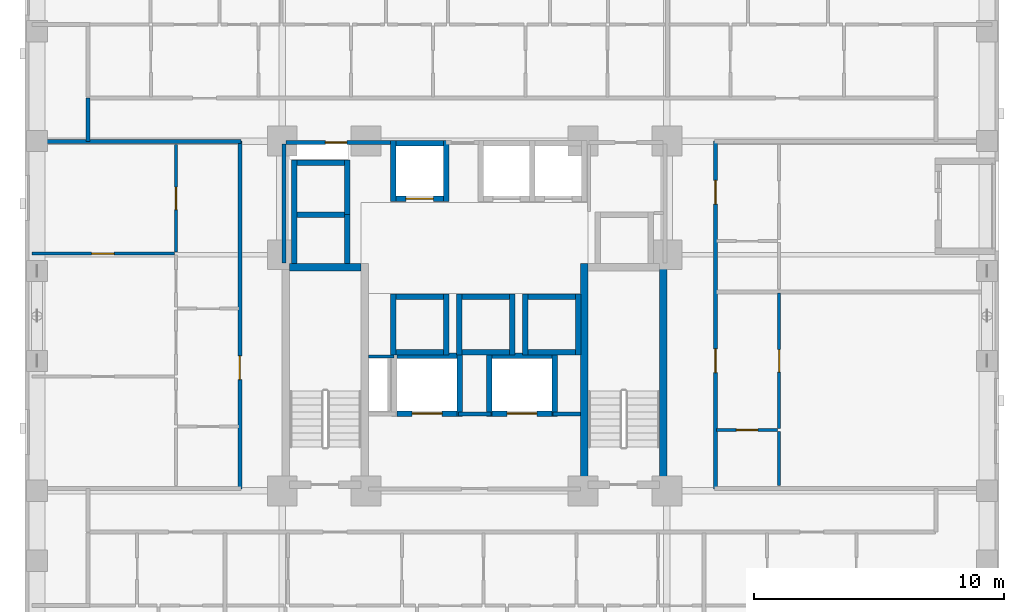
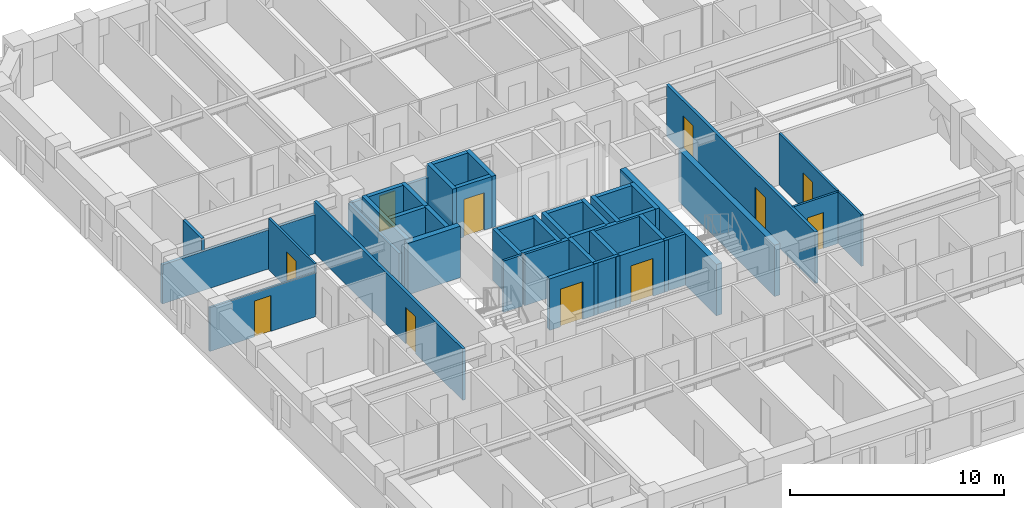
# One storey, part 5 of 14: 45 walls, 11 doors, 11 openings.
"""IFC4 building model written with IfcOpenShell, lengths in metres."""

from ifc_helpers import new_model, si_unit, derived_unit, direction, frame, frame_2d, origin, place, context, subcontext, project, spatial, rectangle, extrude, material, layer, layer_set, type_object, element, fill, save


model = new_model("IFC4")

# Units and contexts
model_context = context("Model", 3, precision=1e-05, world=origin(), true_north=direction((0.0, 1.0)))
body_context = subcontext(model_context, "Body", "Model", "MODEL_VIEW")
ifc_project = project(units=[si_unit("LENGTHUNIT", "METRE"), si_unit("AREAUNIT", "SQUARE_METRE"), si_unit("VOLUMEUNIT", "CUBIC_METRE"), si_unit("PLANEANGLEUNIT", "RADIAN"), si_unit("MASSUNIT", "GRAM", prefix="KILO"), derived_unit("THERMALTRANSMITTANCEUNIT", [(si_unit("MASSUNIT", "GRAM", prefix="KILO"), 1), (si_unit("TIMEUNIT", "SECOND"), -3), (si_unit("THERMODYNAMICTEMPERATUREUNIT", "KELVIN"), -1)])], contexts=[model_context])

# Site, building, storey
site_placement = place(None, origin())
site = spatial("IfcSite", under=ifc_project, at=site_placement, CompositionType="ELEMENT")
building_placement = place(site_placement, origin())
building = spatial("IfcBuilding", under=site, at=building_placement, Name="Korrvale Station Residences", CompositionType="ELEMENT")
storey_placement = place(building_placement, frame((0.0, 0.0, 48.199951171875)))
storey = spatial("IfcBuildingStorey", under=building, at=storey_placement, Name="L12", CompositionType="ELEMENT", Elevation=48.199951171875)

# Walls
ifc_material_1 = material(Name="Concrete C70/85", Category="concrete")
ifc_layer_1 = layer(ifc_material_1, 0.300048828125, Name="Concrete C70/85")
ifc_layer_set_1 = layer_set([ifc_layer_1], Name="Concrete C70/85")
wall_type_1 = type_object("IfcWallType", Name="WAL-CORE-300-C70", PredefinedType="SHEAR", material=ifc_layer_set_1)
wall_1_placement = place(storey_placement, frame((18.10009765625, 23.949951171875, 0.0), z_axis=(0.0, 0.0, 1.0), x_axis=(1.0, 0.0, 0.0)))
element("IfcWall", 1, at=wall_1_placement, inside=storey, type_object=wall_type_1, Name="L12 ST-1 Core Shear Wall North", PredefinedType="SHEAR", context=body_context, shape_type="SweptSolid", body=[
    extrude(rectangle(XDim=2.849853515625, YDim=0.300048828125, at=frame_2d((1.4248046875, 0.0))), origin(), (0.0, 0.0, 1.0), 2.93994140625),
])
for number, where, z_axis, x_axis, name in (
    (2, (29.89990234375, 15.10009765625, 0.0), (0.0, 0.0, 1.0), (0.0, 1.0, 0.0), "L12 ST-2 Core Shear Wall West"),
    (3, (33.050048828125, 15.10009765625, 0.0), (0.0, 0.0, 1.0), (0.0, 1.0, 0.0), "L12 ST-2 Core Shear Wall East"),
):
    element("IfcWall", number, at=place(storey_placement, frame(where, z_axis=z_axis, x_axis=x_axis)), inside=storey, type_object=wall_type_1, Name=name, PredefinedType="SHEAR", context=body_context, shape_type="SweptSolid", body=[
        extrude(rectangle(XDim=9.0, YDim=0.300048828125, at=frame_2d((4.5, 0.0))), origin(), (0.0, 0.0, 1.0), 2.93994140625),
    ])
ifc_material_2 = material(Name="Acoustic steel-stud gypsum board partition", Category="steel")
ifc_layer_2 = layer(ifc_material_2, 0.1201171875, Name="Acoustic steel-stud gypsum board partition")
ifc_layer_set_2 = layer_set([ifc_layer_2], Name="Acoustic steel-stud gypsum board partition")
wall_type_2 = type_object("IfcWallType", Name="WAL-PART-125", PredefinedType="PARTITIONING", material=ifc_layer_set_2)
wall_2_placement = place(storey_placement, frame((22.280029296875, 20.3798828125, 0.0), z_axis=(0.0, 0.0, 1.0), x_axis=(-1.0, 0.0, 0.0)))
element("IfcWall", 4, at=wall_2_placement, inside=storey, type_object=wall_type_2, Name="L12 Core Partition CW-RSWT-N", PredefinedType="PARTITIONING", context=body_context, shape_type="SweptSolid", body=[
    extrude(rectangle(XDim=1.02001953125, YDim=0.1201171875, at=frame_2d((0.510009765625, 0.0))), origin(), (0.0, 0.0, 1.0), 2.93994140625),
])

# Wall, opening, door
wall_3_placement = place(storey_placement, frame((13.550048828125, 24.552001953125, 0.0), z_axis=(0.0, 0.0, 1.0), x_axis=(0.0, 1.0, 0.0)))
wall_3 = element("IfcWall", 5, at=wall_3_placement, inside=storey, type_object=wall_type_2, Name="L12 Suite Partition U06-V05", PredefinedType="PARTITIONING", context=body_context, shape_type="SweptSolid", body=[
    extrude(rectangle(XDim=4.30810546875, YDim=0.1201171875, at=frame_2d((2.154052734375, 0.0))), origin(), (0.0, 0.0, 1.0), 2.93994140625),
])
opening_1_placement = place(wall_3_placement, frame((1.7041015625, 0.0, 0.0)))
opening_1 = element("IfcOpeningElement", 6, at=opening_1_placement, cuts=wall_3, Name="Opening DI-900", PredefinedType="OPENING", context=body_context, shape_type="SweptSolid", body=[
    extrude(rectangle(XDim=0.89990234375, YDim=2.050048828125, at=frame_2d((0.449951171875, 1.02490234375))), frame((0.0, 0.070068359375, 0.0), z_axis=(0.0, -1.0, 0.0), x_axis=(1.0, 0.0, 0.0)), (0.0, 0.0, 1.0), 0.14013671875),
])
ifc_material_3 = material(Name="Painted solid-core timber interior room door", Category="wood")
door_type_1 = type_object("IfcDoorType", Name="DR-INT-900", OperationType="NOTDEFINED", PredefinedType="DOOR", material=ifc_material_3)
door_1_placement = place(opening_1_placement, origin())
door_1 = element("IfcDoor", 7, at=door_1_placement, inside=storey, type_object=door_type_1, Name="L12 Apartment 2BR L12-U06 Wardrobe Storage Room Door", OperationType="SINGLE_SWING_LEFT", OverallHeight=2.050048828125, OverallWidth=0.89990234375, PredefinedType="DOOR", context=body_context, shape_type="SweptSolid", body=[
    extrude(rectangle(XDim=0.89990234375, YDim=2.050048828125, at=frame_2d((0.449951171875, 1.02490234375))), frame((0.0, 0.02490234375, 0.0), z_axis=(0.0, -1.0, 0.0), x_axis=(1.0, 0.0, 0.0)), (0.0, 0.0, 1.0), 0.050048828125),
])
fill(opening_1, door_1)

wall_4_placement = place(storey_placement, frame((7.780029296875, 24.491943359375, 0.0), z_axis=(0.0, 0.0, 1.0), x_axis=(1.0, 0.0, 0.0)))
wall_4 = element("IfcWall", 8, at=wall_4_placement, inside=storey, type_object=wall_type_2, Name="L12 Suite Partition U06-H45", PredefinedType="PARTITIONING", context=body_context, shape_type="SweptSolid", body=[
    extrude(rectangle(XDim=5.7099609375, YDim=0.1201171875, at=frame_2d((2.85498046875, 0.0))), origin(), (0.0, 0.0, 1.0), 2.508056640625),
])
opening_2_placement = place(wall_4_placement, frame((2.389892578125, 0.0, 0.0)))
opening_2 = element("IfcOpeningElement", 9, at=opening_2_placement, cuts=wall_4, Name="Opening DI-900", PredefinedType="OPENING", context=body_context, shape_type="SweptSolid", body=[
    extrude(rectangle(XDim=0.89990234375, YDim=2.050048828125, at=frame_2d((0.449951171875, 1.02490234375))), frame((0.0, 0.070068359375, 0.0), z_axis=(0.0, -1.0, 0.0), x_axis=(1.0, 0.0, 0.0)), (0.0, 0.0, 1.0), 0.14013671875),
])
door_2_placement = place(opening_2_placement, origin())
door_2 = element("IfcDoor", 10, at=door_2_placement, inside=storey, type_object=door_type_1, Name="L12 Apartment 2BR L12-U06 Living and Dining Room Door", OperationType="SINGLE_SWING_RIGHT", OverallHeight=2.050048828125, OverallWidth=0.89990234375, PredefinedType="DOOR", context=body_context, shape_type="SweptSolid", body=[
    extrude(rectangle(XDim=0.89990234375, YDim=2.050048828125, at=frame_2d((0.449951171875, 1.02490234375))), frame((0.0, 0.02490234375, 0.0), z_axis=(0.0, -1.0, 0.0), x_axis=(1.0, 0.0, 0.0)), (0.0, 0.0, 1.0), 0.050048828125),
])
fill(opening_2, door_2)

wall_5_placement = place(storey_placement, frame((35.18994140625, 17.428955078125, 0.0), z_axis=(0.0, 0.0, 1.0), x_axis=(1.0, 0.0, 0.0)))
wall_5 = element("IfcWall", 11, at=wall_5_placement, inside=storey, type_object=wall_type_2, Name="L12 Suite Partition U07-H01", PredefinedType="PARTITIONING", context=body_context, shape_type="SweptSolid", body=[
    extrude(rectangle(XDim=2.449951171875, YDim=0.1201171875, at=frame_2d((1.22509765625, 0.0))), origin(), (0.0, 0.0, 1.0), 2.93994140625),
])
opening_3_placement = place(wall_5_placement, frame((0.794921875, 0.0, 0.0)))
opening_3 = element("IfcOpeningElement", 12, at=opening_3_placement, cuts=wall_5, Name="Opening DB-860", PredefinedType="OPENING", context=body_context, shape_type="SweptSolid", body=[
    extrude(rectangle(XDim=0.860107421875, YDim=2.050048828125, at=frame_2d((0.43017578125, 1.02490234375))), frame((0.0, 0.070068359375, 0.0), z_axis=(0.0, -1.0, 0.0), x_axis=(1.0, 0.0, 0.0)), (0.0, 0.0, 1.0), 0.14013671875),
])
ifc_material_4 = material(Name="Moisture-resistant solid-core bathroom door", Category="timber")
door_type_2 = type_object("IfcDoorType", Name="DR-BATH-860", OperationType="NOTDEFINED", PredefinedType="DOOR", material=ifc_material_4)
door_3_placement = place(opening_3_placement, origin())
door_3 = element("IfcDoor", 13, at=door_3_placement, inside=storey, type_object=door_type_2, Name="L12 Studio Apartment L12-U07 Bathroom Door", OperationType="SINGLE_SWING_LEFT", OverallHeight=2.050048828125, OverallWidth=0.860107421875, PredefinedType="DOOR", context=body_context, shape_type="SweptSolid", body=[
    extrude(rectangle(XDim=0.860107421875, YDim=2.050048828125, at=frame_2d((0.43017578125, 1.02490234375))), frame((0.0, 0.02490234375, 0.0), z_axis=(0.0, -1.0, 0.0), x_axis=(1.0, 0.0, 0.0)), (0.0, 0.0, 1.0), 0.050048828125),
])
fill(opening_3, door_3)

# Wall
wall_6_placement = place(storey_placement, frame((37.699951171875, 15.2099609375, 0.0), z_axis=(0.0, 0.0, 1.0), x_axis=(0.0, 1.0, 0.0)))
element("IfcWall", 14, at=wall_6_placement, inside=storey, type_object=wall_type_2, Name="L12 Suite Partition U07-V02", PredefinedType="PARTITIONING", context=body_context, shape_type="SweptSolid", body=[
    extrude(rectangle(XDim=2.158935546875, YDim=0.1201171875, at=frame_2d((1.07958984375, 0.0))), origin(), (0.0, 0.0, 1.0), 2.93994140625),
])

# Wall, opening, door
wall_7_placement = place(storey_placement, frame((37.699951171875, 17.489013671875, 0.0), z_axis=(0.0, 0.0, 1.0), x_axis=(0.0, 1.0, 0.0)))
wall_7 = element("IfcWall", 15, at=wall_7_placement, inside=storey, type_object=wall_type_2, Name="L12 Suite Partition U07-V12", PredefinedType="PARTITIONING", context=body_context, shape_type="SweptSolid", body=[
    extrude(rectangle(XDim=5.43310546875, YDim=0.1201171875, at=frame_2d((2.716552734375, 0.0))), origin(), (0.0, 0.0, 1.0), 2.93994140625),
])
opening_4_placement = place(wall_7_placement, frame((2.26611328125, 0.0, 0.0)))
opening_4 = element("IfcOpeningElement", 16, at=opening_4_placement, cuts=wall_7, Name="Opening DI-900", PredefinedType="OPENING", context=body_context, shape_type="SweptSolid", body=[
    extrude(rectangle(XDim=0.89990234375, YDim=2.050048828125, at=frame_2d((0.449951171875, 1.02490234375))), frame((0.0, 0.070068359375, 0.0), z_axis=(0.0, -1.0, 0.0), x_axis=(1.0, 0.0, 0.0)), (0.0, 0.0, 1.0), 0.14013671875),
])
door_4_placement = place(opening_4_placement, origin())
door_4 = element("IfcDoor", 17, at=door_4_placement, inside=storey, type_object=door_type_1, Name="L12 Studio Apartment L12-U07 Kitchen Door", OperationType="SINGLE_SWING_RIGHT", OverallHeight=2.050048828125, OverallWidth=0.89990234375, PredefinedType="DOOR", context=body_context, shape_type="SweptSolid", body=[
    extrude(rectangle(XDim=0.89990234375, YDim=2.050048828125, at=frame_2d((0.449951171875, 1.02490234375))), frame((0.0, 0.02490234375, 0.0), z_axis=(0.0, -1.0, 0.0), x_axis=(1.0, 0.0, 0.0)), (0.0, 0.0, 1.0), 0.050048828125),
])
fill(opening_4, door_4)

# Walls
ifc_material_5 = material(Name="Fire-rated twin-stud gypsum and mineral wool shaftwall assembly", Category="gypsum")
ifc_layer_3 = layer(ifc_material_5, 0.159912109375, Name="Fire-rated twin-stud gypsum and mineral wool shaftwall assembly")
ifc_layer_set_3 = layer_set([ifc_layer_3], Name="Fire-rated twin-stud gypsum and mineral wool shaftwall assembly")
wall_type_3 = type_object("IfcWallType", Name="WAL-PART-200", PredefinedType="PARTITIONING", material=ifc_layer_set_3)
wall_8_placement = place(storey_placement, frame((24.85009765625, 18.080078125, 0.0), z_axis=(0.0, 0.0, 1.0), x_axis=(1.0, 0.0, 0.0)))
element("IfcWall", 18, at=wall_8_placement, inside=storey, type_object=wall_type_3, Name="L12 Core Partition CW-FFL-N2", PredefinedType="PARTITIONING", context=body_context, shape_type="SweptSolid", body=[
    extrude(rectangle(XDim=1.2998046875, YDim=0.159912109375, at=frame_2d((0.64990234375, 0.0))), origin(), (0.0, 0.0, 1.0), 2.93994140625),
])
wall_9_placement = place(storey_placement, frame((28.64990234375, 18.080078125, 0.0), z_axis=(0.0, 0.0, 1.0), x_axis=(1.0, 0.0, 0.0)))
element("IfcWall", 19, at=wall_9_placement, inside=storey, type_object=wall_type_3, Name="L12 Core Partition CW-FFL-N3", PredefinedType="PARTITIONING", context=body_context, shape_type="SweptSolid", body=[
    extrude(rectangle(XDim=1.10009765625, YDim=0.159912109375, at=frame_2d((0.550048828125, 0.0))), origin(), (0.0, 0.0, 1.0), 2.93994140625),
])
wall_10_placement = place(storey_placement, frame((17.8798828125, 24.1201171875, 0.0), z_axis=(0.0, 0.0, 1.0), x_axis=(0.0, 1.0, 0.0)))
element("IfcWall", 20, at=wall_10_placement, inside=storey, type_object=wall_type_3, Name="L12 Core Partition CW-W-N", PredefinedType="PARTITIONING", context=body_context, shape_type="SweptSolid", body=[
    extrude(rectangle(XDim=4.759765625, YDim=0.159912109375, at=frame_2d((2.3798828125, 0.0))), origin(), (0.0, 0.0, 1.0), 2.275146484375),
])

# Wall, opening, door
wall_11_placement = place(storey_placement, frame((17.9599609375, 28.949951171875, 0.0), z_axis=(0.0, 0.0, 1.0), x_axis=(1.0, 0.0, 0.0)))
wall_11 = element("IfcWall", 21, at=wall_11_placement, inside=storey, type_object=wall_type_3, Name="L12 Core Partition CW-NW", PredefinedType="PARTITIONING", context=body_context, shape_type="SweptSolid", body=[
    extrude(rectangle(XDim=4.2900390625, YDim=0.159912109375, at=frame_2d((2.14501953125, 0.0))), origin(), (0.0, 0.0, 1.0), 2.23193359375),
])
opening_5_placement = place(wall_11_placement, frame((1.570068359375, 0.0, 0.0)))
opening_5 = element("IfcOpeningElement", 22, at=opening_5_placement, cuts=wall_11, Name="Opening DB-860", PredefinedType="OPENING", context=body_context, shape_type="SweptSolid", body=[
    extrude(rectangle(XDim=0.860107421875, YDim=2.050048828125, at=frame_2d((0.43017578125, 1.02490234375))), frame((0.0, 0.08984375, 0.0), z_axis=(0.0, -1.0, 0.0), x_axis=(1.0, 0.0, 0.0)), (0.0, 0.0, 1.0), 0.179931640625),
])
door_5_placement = place(opening_5_placement, origin())
door_5 = element("IfcDoor", 23, at=door_5_placement, inside=storey, type_object=door_type_2, Name="L12 Electrical Riser Access Door", OperationType="SINGLE_SWING_LEFT", OverallHeight=2.050048828125, OverallWidth=0.860107421875, PredefinedType="DOOR", context=body_context, shape_type="SweptSolid", body=[
    extrude(rectangle(XDim=0.860107421875, YDim=2.050048828125, at=frame_2d((0.43017578125, 1.02490234375))), frame((0.0, 0.02490234375, 0.0), z_axis=(0.0, -1.0, 0.0), x_axis=(1.0, 0.0, 0.0)), (0.0, 0.0, 1.0), 0.050048828125),
])
fill(opening_5, door_5)

# Walls
wall_12_placement = place(storey_placement, frame((10.02001953125, 28.97998046875, 0.0), z_axis=(0.0, 0.0, 1.0), x_axis=(0.0, 1.0, 0.0)))
element("IfcWall", 24, at=wall_12_placement, inside=storey, type_object=wall_type_3, Name="L12 Corridor North West Cap", PredefinedType="PARTITIONING", context=body_context, shape_type="SweptSolid", body=[
    extrude(rectangle(XDim=1.739990234375, YDim=0.159912109375, at=frame_2d((0.8701171875, 0.0))), origin(), (0.0, 0.0, 1.0), 2.93994140625),
])
wall_13_placement = place(storey_placement, frame((7.780029296875, 28.97998046875, 0.0), z_axis=(0.0, 0.0, 1.0), x_axis=(1.0, 0.0, 0.0)))
element("IfcWall", 25, at=wall_13_placement, inside=storey, type_object=wall_type_3, Name="L12 West Wing North Corridor Wall", PredefinedType="PARTITIONING", context=body_context, shape_type="SweptSolid", body=[
    extrude(rectangle(XDim=8.35986328125, YDim=0.159912109375, at=frame_2d((4.179931640625, 0.0))), origin(), (0.0, 0.0, 1.0), 2.23193359375),
])

# Wall, opening, door
wall_14_placement = place(storey_placement, frame((16.10009765625, 15.070068359375, 0.0), z_axis=(0.0, 0.0, 1.0), x_axis=(0.0, 1.0, 0.0)))
wall_14 = element("IfcWall", 26, at=wall_14_placement, inside=storey, type_object=wall_type_3, Name="L12 Rated Corridor Wall W", PredefinedType="PARTITIONING", context=body_context, shape_type="SweptSolid", body=[
    extrude(rectangle(XDim=13.929931640625, YDim=0.159912109375, at=frame_2d((6.96484375, 0.0))), origin(), (0.0, 0.0, 1.0), 2.93994140625),
])
opening_6_placement = place(wall_14_placement, frame((4.385009765625, 0.0, 0.0)))
opening_6 = element("IfcOpeningElement", 27, at=opening_6_placement, cuts=wall_14, Name="Opening UD-950", PredefinedType="OPENING", context=body_context, shape_type="SweptSolid", body=[
    extrude(rectangle(XDim=0.949951171875, YDim=2.10009765625, at=frame_2d((0.47509765625, 1.050048828125))), frame((0.0, 0.08984375, 0.0), z_axis=(0.0, -1.0, 0.0), x_axis=(1.0, 0.0, 0.0)), (0.0, 0.0, 1.0), 0.179931640625),
])
ifc_material_6 = material(Name="Solid-core acoustic oak apartment entrance door", Category="timber")
door_type_3 = type_object("IfcDoorType", Name="DR-UNIT-950", OperationType="NOTDEFINED", PredefinedType="DOOR", material=ifc_material_6)
door_6_placement = place(opening_6_placement, origin())
door_6 = element("IfcDoor", 28, at=door_6_placement, inside=storey, type_object=door_type_3, Name="L12 Apartment L12-U06 Entrance Door", OperationType="SINGLE_SWING_RIGHT", OverallHeight=2.10009765625, OverallWidth=0.949951171875, PredefinedType="DOOR", context=body_context, shape_type="SweptSolid", body=[
    extrude(rectangle(XDim=0.949951171875, YDim=2.10009765625, at=frame_2d((0.47509765625, 1.050048828125))), frame((0.0, 0.02490234375, 0.0), z_axis=(0.0, -1.0, 0.0), x_axis=(1.0, 0.0, 0.0)), (0.0, 0.0, 1.0), 0.050048828125),
])
fill(opening_6, door_6)

# Wall, openings, doors
wall_15_placement = place(storey_placement, frame((35.14990234375, 15.070068359375, 0.0), z_axis=(0.0, 0.0, 1.0), x_axis=(0.0, 1.0, 0.0)))
wall_15 = element("IfcWall", 29, at=wall_15_placement, inside=storey, type_object=wall_type_3, Name="L12 Rated Corridor Wall E", PredefinedType="PARTITIONING", context=body_context, shape_type="SweptSolid", body=[
    extrude(rectangle(XDim=13.929931640625, YDim=0.159912109375, at=frame_2d((6.96484375, 0.0))), origin(), (0.0, 0.0, 1.0), 2.93994140625),
])
opening_7_placement = place(wall_15_placement, frame((4.660888671875, 0.0, 0.0)))
opening_7 = element("IfcOpeningElement", 30, at=opening_7_placement, cuts=wall_15, Name="Opening UD-950", PredefinedType="OPENING", context=body_context, shape_type="SweptSolid", body=[
    extrude(rectangle(XDim=0.949951171875, YDim=2.10009765625, at=frame_2d((0.47509765625, 1.050048828125))), frame((0.0, 0.08984375, 0.0), z_axis=(0.0, -1.0, 0.0), x_axis=(1.0, 0.0, 0.0)), (0.0, 0.0, 1.0), 0.179931640625),
])
opening_8_placement = place(wall_15_placement, frame((11.410888671875, 0.0, 0.0)))
opening_8 = element("IfcOpeningElement", 31, at=opening_8_placement, cuts=wall_15, Name="Opening UD-950", PredefinedType="OPENING", context=body_context, shape_type="SweptSolid", body=[
    extrude(rectangle(XDim=0.949951171875, YDim=2.10009765625, at=frame_2d((0.47509765625, 1.050048828125))), frame((0.0, 0.08984375, 0.0), z_axis=(0.0, -1.0, 0.0), x_axis=(1.0, 0.0, 0.0)), (0.0, 0.0, 1.0), 0.179931640625),
])
door_7_placement = place(opening_7_placement, origin())
door_7 = element("IfcDoor", 32, at=door_7_placement, inside=storey, type_object=door_type_3, Name="L12 Apartment L12-U07 Entrance Door", OperationType="SINGLE_SWING_LEFT", OverallHeight=2.10009765625, OverallWidth=0.949951171875, PredefinedType="DOOR", context=body_context, shape_type="SweptSolid", body=[
    extrude(rectangle(XDim=0.949951171875, YDim=2.10009765625, at=frame_2d((0.47509765625, 1.050048828125))), frame((0.0, 0.02490234375, 0.0), z_axis=(0.0, -1.0, 0.0), x_axis=(1.0, 0.0, 0.0)), (0.0, 0.0, 1.0), 0.050048828125),
])
fill(opening_7, door_7)
door_8_placement = place(opening_8_placement, origin())
door_8 = element("IfcDoor", 33, at=door_8_placement, inside=storey, type_object=door_type_3, Name="L12 Apartment L12-U08 Entrance Door", OperationType="SINGLE_SWING_RIGHT", OverallHeight=2.10009765625, OverallWidth=0.949951171875, PredefinedType="DOOR", context=body_context, shape_type="SweptSolid", body=[
    extrude(rectangle(XDim=0.949951171875, YDim=2.10009765625, at=frame_2d((0.47509765625, 1.050048828125))), frame((0.0, 0.02490234375, 0.0), z_axis=(0.0, -1.0, 0.0), x_axis=(1.0, 0.0, 0.0)), (0.0, 0.0, 1.0), 0.050048828125),
])
fill(opening_8, door_8)

# Wall, opening, door
ifc_layer_4 = layer(ifc_material_1, 0.219970703125, Name="Concrete C70/85")
ifc_layer_set_4 = layer_set([ifc_layer_4], Name="Concrete C70/85")
wall_type_4 = type_object("IfcWallType", Name="WAL-SHAFT-220-C70", PredefinedType="SHEAR", material=ifc_layer_set_4)
wall_16_placement = place(storey_placement, frame((22.35009765625, 26.68994140625, 0.0), z_axis=(0.0, 0.0, 1.0), x_axis=(1.0, 0.0, 0.0)))
wall_16 = element("IfcWall", 34, at=wall_16_placement, inside=storey, type_object=wall_type_4, Name="L12 Elevator PL-1 Hoistway Wall South", PredefinedType="SHEAR", context=body_context, shape_type="SweptSolid", body=[
    extrude(rectangle(XDim=1.89990234375, YDim=0.219970703125, at=frame_2d((0.949951171875, 0.0))), origin(), (0.0, 0.0, 1.0), 2.93994140625),
])
opening_9_placement = place(wall_16_placement, frame((0.39990234375, 0.0, 0.0)))
opening_9 = element("IfcOpeningElement", 35, at=opening_9_placement, cuts=wall_16, Name="Opening LD-1100", PredefinedType="OPENING", context=body_context, shape_type="SweptSolid", body=[
    extrude(rectangle(XDim=1.10009765625, YDim=2.14990234375, at=frame_2d((0.550048828125, 1.074951171875))), frame((0.0, 0.1201171875, 0.0), z_axis=(0.0, -1.0, 0.0), x_axis=(1.0, 0.0, 0.0)), (0.0, 0.0, 1.0), 0.239990234375),
])
ifc_material_7 = material(Name="Brushed stainless-steel elevator landing sliding door", Category="steel")
door_type_4 = type_object("IfcDoorType", Name="DR-LIFT-1100", OperationType="SLIDING_TO_LEFT", PredefinedType="DOOR", material=ifc_material_7)
door_9_placement = place(opening_9_placement, origin())
door_9 = element("IfcDoor", 36, at=door_9_placement, inside=storey, type_object=door_type_4, Name="L12 Elevator PL-1 Sliding Landing Door", OperationType="SLIDING_TO_LEFT", OverallHeight=2.14990234375, OverallWidth=1.10009765625, PredefinedType="DOOR", context=body_context, shape_type="SweptSolid", body=[
    extrude(rectangle(XDim=1.10009765625, YDim=2.14990234375, at=frame_2d((0.550048828125, 1.074951171875))), frame((0.0, 0.02490234375, 0.0), z_axis=(0.0, -1.0, 0.0), x_axis=(1.0, 0.0, 0.0)), (0.0, 0.0, 1.0), 0.050048828125),
])
fill(opening_9, door_9)

# Walls
wall_17_placement = place(storey_placement, frame((22.35009765625, 28.909912109375, 0.0), z_axis=(0.0, 0.0, 1.0), x_axis=(1.0, 0.0, 0.0)))
element("IfcWall", 37, at=wall_17_placement, inside=storey, type_object=wall_type_4, Name="L12 Elevator PL-1 Hoistway Wall North", PredefinedType="SHEAR", context=body_context, shape_type="SweptSolid", body=[
    extrude(rectangle(XDim=1.89990234375, YDim=0.219970703125, at=frame_2d((0.949951171875, 0.0))), origin(), (0.0, 0.0, 1.0), 2.93994140625),
])
for number, where, z_axis, x_axis, name in (
    (38, (22.239990234375, 26.580078125, 0.0), (0.0, 0.0, 1.0), (0.0, 1.0, 0.0), "L12 Elevator PL-1 Hoistway Wall West"),
    (39, (24.360107421875, 26.580078125, 0.0), (0.0, 0.0, 1.0), (0.0, 1.0, 0.0), "L12 Elevator PL-1 Hoistway Wall East"),
):
    element("IfcWall", number, at=place(storey_placement, frame(where, z_axis=z_axis, x_axis=x_axis)), inside=storey, type_object=wall_type_4, Name=name, PredefinedType="SHEAR", context=body_context, shape_type="SweptSolid", body=[
        extrude(rectangle(XDim=2.43994140625, YDim=0.219970703125, at=frame_2d((1.219970703125, 0.0))), origin(), (0.0, 0.0, 1.0), 2.93994140625),
    ])
for number, where, z_axis, x_axis, name in (
    (40, (22.35009765625, 20.5400390625, 0.0), (0.0, 0.0, 1.0), (1.0, 0.0, 0.0), "L12 Elevator PM-1 Hoistway Wall South"),
    (41, (22.35009765625, 22.760009765625, 0.0), (0.0, 0.0, 1.0), (1.0, 0.0, 0.0), "L12 Elevator PM-1 Hoistway Wall North"),
):
    element("IfcWall", number, at=place(storey_placement, frame(where, z_axis=z_axis, x_axis=x_axis)), inside=storey, type_object=wall_type_4, Name=name, PredefinedType="SHEAR", context=body_context, shape_type="SweptSolid", body=[
        extrude(rectangle(XDim=1.89990234375, YDim=0.219970703125, at=frame_2d((0.949951171875, 0.0))), origin(), (0.0, 0.0, 1.0), 2.93994140625),
    ])
for number, where, z_axis, x_axis, name in (
    (42, (22.239990234375, 20.429931640625, 0.0), (0.0, 0.0, 1.0), (0.0, 1.0, 0.0), "L12 Elevator PM-1 Hoistway Wall West"),
    (43, (24.360107421875, 20.429931640625, 0.0), (0.0, 0.0, 1.0), (0.0, 1.0, 0.0), "L12 Elevator PM-1 Hoistway Wall East"),
):
    element("IfcWall", number, at=place(storey_placement, frame(where, z_axis=z_axis, x_axis=x_axis)), inside=storey, type_object=wall_type_4, Name=name, PredefinedType="SHEAR", context=body_context, shape_type="SweptSolid", body=[
        extrude(rectangle(XDim=2.440185546875, YDim=0.219970703125, at=frame_2d((1.22021484375, 0.0))), origin(), (0.0, 0.0, 1.0), 2.93994140625),
    ])
for number, where, z_axis, x_axis, name in (
    (44, (25.0, 20.5400390625, 0.0), (0.0, 0.0, 1.0), (1.0, 0.0, 0.0), "L12 Elevator PM-2 Hoistway Wall South"),
    (45, (25.0, 22.760009765625, 0.0), (0.0, 0.0, 1.0), (1.0, 0.0, 0.0), "L12 Elevator PM-2 Hoistway Wall North"),
):
    element("IfcWall", number, at=place(storey_placement, frame(where, z_axis=z_axis, x_axis=x_axis)), inside=storey, type_object=wall_type_4, Name=name, PredefinedType="SHEAR", context=body_context, shape_type="SweptSolid", body=[
        extrude(rectangle(XDim=1.89990234375, YDim=0.219970703125, at=frame_2d((0.949951171875, 0.0))), origin(), (0.0, 0.0, 1.0), 2.93994140625),
    ])
for number, where, z_axis, x_axis, name in (
    (46, (24.889892578125, 20.429931640625, 0.0), (0.0, 0.0, 1.0), (0.0, 1.0, 0.0), "L12 Elevator PM-2 Hoistway Wall West"),
    (47, (27.010009765625, 20.429931640625, 0.0), (0.0, 0.0, 1.0), (0.0, 1.0, 0.0), "L12 Elevator PM-2 Hoistway Wall East"),
):
    element("IfcWall", number, at=place(storey_placement, frame(where, z_axis=z_axis, x_axis=x_axis)), inside=storey, type_object=wall_type_4, Name=name, PredefinedType="SHEAR", context=body_context, shape_type="SweptSolid", body=[
        extrude(rectangle(XDim=2.440185546875, YDim=0.219970703125, at=frame_2d((1.22021484375, 0.0))), origin(), (0.0, 0.0, 1.0), 2.93994140625),
    ])
for number, where, z_axis, x_axis, name in (
    (48, (27.64990234375, 20.5400390625, 0.0), (0.0, 0.0, 1.0), (1.0, 0.0, 0.0), "L12 Elevator PM-3 Hoistway Wall South"),
    (49, (27.64990234375, 22.760009765625, 0.0), (0.0, 0.0, 1.0), (1.0, 0.0, 0.0), "L12 Elevator PM-3 Hoistway Wall North"),
):
    element("IfcWall", number, at=place(storey_placement, frame(where, z_axis=z_axis, x_axis=x_axis)), inside=storey, type_object=wall_type_4, Name=name, PredefinedType="SHEAR", context=body_context, shape_type="SweptSolid", body=[
        extrude(rectangle(XDim=1.900146484375, YDim=0.219970703125, at=frame_2d((0.9501953125, 0.0))), origin(), (0.0, 0.0, 1.0), 2.93994140625),
    ])
for number, where, z_axis, x_axis, name in (
    (50, (27.5400390625, 20.429931640625, 0.0), (0.0, 0.0, 1.0), (0.0, 1.0, 0.0), "L12 Elevator PM-3 Hoistway Wall West"),
    (51, (29.659912109375, 20.429931640625, 0.0), (0.0, 0.0, 1.0), (0.0, 1.0, 0.0), "L12 Elevator PM-3 Hoistway Wall East"),
):
    element("IfcWall", number, at=place(storey_placement, frame(where, z_axis=z_axis, x_axis=x_axis)), inside=storey, type_object=wall_type_4, Name=name, PredefinedType="SHEAR", context=body_context, shape_type="SweptSolid", body=[
        extrude(rectangle(XDim=2.440185546875, YDim=0.219970703125, at=frame_2d((1.22021484375, 0.0))), origin(), (0.0, 0.0, 1.0), 2.93994140625),
    ])
wall_18_placement = place(storey_placement, frame((18.2900390625, 24.10009765625, 0.0), z_axis=(0.0, 0.0, 1.0), x_axis=(0.0, 1.0, 0.0)))
element("IfcWall", 52, at=wall_18_placement, inside=storey, type_object=wall_type_4, Name="L12 Elevator PH-1 Hoistway Wall West", PredefinedType="SHEAR", context=body_context, shape_type="SweptSolid", body=[
    extrude(rectangle(XDim=4.139892578125, YDim=0.219970703125, at=frame_2d((2.06982421875, 0.0))), origin(), (0.0, 0.0, 1.0), 2.93994140625),
])
wall_19_placement = place(storey_placement, frame((20.409912109375, 24.10009765625, 0.0), z_axis=(0.0, 0.0, 1.0), x_axis=(0.0, 1.0, 0.0)))
element("IfcWall", 53, at=wall_19_placement, inside=storey, type_object=wall_type_4, Name="L12 Elevator PH-1 Hoistway Wall East", PredefinedType="SHEAR", context=body_context, shape_type="SweptSolid", body=[
    extrude(rectangle(XDim=1.9599609375, YDim=0.219970703125, at=frame_2d((0.97998046875, 0.0))), origin(), (0.0, 0.0, 1.0), 2.93994140625),
])
for number, where, z_axis, x_axis, name in (
    (54, (18.39990234375, 26.06005859375, 0.0), (0.0, 0.0, 1.0), (1.0, 0.0, 0.0), "L12 Elevator PH-2 Hoistway Wall South"),
    (55, (18.39990234375, 28.1298828125, 0.0), (0.0, 0.0, 1.0), (1.0, 0.0, 0.0), "L12 Elevator PH-2 Hoistway Wall North"),
):
    element("IfcWall", number, at=place(storey_placement, frame(where, z_axis=z_axis, x_axis=x_axis)), inside=storey, type_object=wall_type_4, Name=name, PredefinedType="SHEAR", context=body_context, shape_type="SweptSolid", body=[
        extrude(rectangle(XDim=1.900146484375, YDim=0.219970703125, at=frame_2d((0.9501953125, 0.0))), origin(), (0.0, 0.0, 1.0), 2.93994140625),
    ])
wall_20_placement = place(storey_placement, frame((20.409912109375, 26.06005859375, 0.0), z_axis=(0.0, 0.0, 1.0), x_axis=(0.0, 1.0, 0.0)))
element("IfcWall", 56, at=wall_20_placement, inside=storey, type_object=wall_type_4, Name="L12 Elevator PH-2 Hoistway Wall East", PredefinedType="SHEAR", context=body_context, shape_type="SweptSolid", body=[
    extrude(rectangle(XDim=2.179931640625, YDim=0.219970703125, at=frame_2d((1.08984375, 0.0))), origin(), (0.0, 0.0, 1.0), 2.93994140625),
])

# Wall, opening, door
wall_21_placement = place(storey_placement, frame((22.39990234375, 18.090087890625, 0.0), z_axis=(0.0, 0.0, 1.0), x_axis=(1.0, 0.0, 0.0)))
wall_21 = element("IfcWall", 57, at=wall_21_placement, inside=storey, type_object=wall_type_4, Name="L12 Elevator FFL-1 Hoistway Wall South", PredefinedType="SHEAR", context=body_context, shape_type="SweptSolid", body=[
    extrude(rectangle(XDim=2.400146484375, YDim=0.219970703125, at=frame_2d((1.2001953125, 0.0))), origin(), (0.0, 0.0, 1.0), 2.93994140625),
])
opening_10_placement = place(wall_21_placement, frame((0.60009765625, 0.0, 0.0)))
opening_10 = element("IfcOpeningElement", 58, at=opening_10_placement, cuts=wall_21, Name="Opening LD-FF1200", PredefinedType="OPENING", context=body_context, shape_type="SweptSolid", body=[
    extrude(rectangle(XDim=1.199951171875, YDim=2.14990234375, at=frame_2d((0.60009765625, 1.074951171875))), frame((0.0, 0.1201171875, 0.0), z_axis=(0.0, -1.0, 0.0), x_axis=(1.0, 0.0, 0.0)), (0.0, 0.0, 1.0), 0.239990234375),
])
ifc_material_8 = material(Name="Stainless-steel firefighter elevator landing sliding door", Category="steel")
door_type_5 = type_object("IfcDoorType", Name="DR-LIFT-FF1200", OperationType="SLIDING_TO_LEFT", PredefinedType="DOOR", material=ifc_material_8)
door_10_placement = place(opening_10_placement, origin())
door_10 = element("IfcDoor", 59, at=door_10_placement, inside=storey, type_object=door_type_5, Name="L12 Elevator FFL-1 Sliding Landing Door", OperationType="SLIDING_TO_LEFT", OverallHeight=2.14990234375, OverallWidth=1.199951171875, PredefinedType="DOOR", context=body_context, shape_type="SweptSolid", body=[
    extrude(rectangle(XDim=1.199951171875, YDim=2.14990234375, at=frame_2d((0.60009765625, 1.074951171875))), frame((0.0, 0.02490234375, 0.0), z_axis=(0.0, -1.0, 0.0), x_axis=(1.0, 0.0, 0.0)), (0.0, 0.0, 1.0), 0.050048828125),
])
fill(opening_10, door_10)

# Walls
wall_22_placement = place(storey_placement, frame((22.39990234375, 20.409912109375, 0.0), z_axis=(0.0, 0.0, 1.0), x_axis=(1.0, 0.0, 0.0)))
element("IfcWall", 60, at=wall_22_placement, inside=storey, type_object=wall_type_4, Name="L12 Elevator FFL-1 Hoistway Wall North", PredefinedType="SHEAR", context=body_context, shape_type="SweptSolid", body=[
    extrude(rectangle(XDim=2.400146484375, YDim=0.219970703125, at=frame_2d((1.2001953125, 0.0))), origin(), (0.0, 0.0, 1.0), 2.93994140625),
])
wall_23_placement = place(storey_placement, frame((24.909912109375, 17.97998046875, 0.0), z_axis=(0.0, 0.0, 1.0), x_axis=(0.0, 1.0, 0.0)))
element("IfcWall", 61, at=wall_23_placement, inside=storey, type_object=wall_type_4, Name="L12 Elevator FFL-1 Hoistway Wall East", PredefinedType="SHEAR", context=body_context, shape_type="SweptSolid", body=[
    extrude(rectangle(XDim=2.5400390625, YDim=0.219970703125, at=frame_2d((1.27001953125, 0.0))), origin(), (0.0, 0.0, 1.0), 2.93994140625),
])

# Wall, opening, door
wall_24_placement = place(storey_placement, frame((26.199951171875, 18.090087890625, 0.0), z_axis=(0.0, 0.0, 1.0), x_axis=(1.0, 0.0, 0.0)))
wall_24 = element("IfcWall", 62, at=wall_24_placement, inside=storey, type_object=wall_type_4, Name="L12 Elevator FFL-2 Hoistway Wall South", PredefinedType="SHEAR", context=body_context, shape_type="SweptSolid", body=[
    extrude(rectangle(XDim=2.400146484375, YDim=0.219970703125, at=frame_2d((1.2001953125, 0.0))), origin(), (0.0, 0.0, 1.0), 2.93994140625),
])
opening_11_placement = place(wall_24_placement, frame((0.60009765625, 0.0, 0.0)))
opening_11 = element("IfcOpeningElement", 63, at=opening_11_placement, cuts=wall_24, Name="Opening LD-FF1200", PredefinedType="OPENING", context=body_context, shape_type="SweptSolid", body=[
    extrude(rectangle(XDim=1.199951171875, YDim=2.14990234375, at=frame_2d((0.60009765625, 1.074951171875))), frame((0.0, 0.1201171875, 0.0), z_axis=(0.0, -1.0, 0.0), x_axis=(1.0, 0.0, 0.0)), (0.0, 0.0, 1.0), 0.239990234375),
])
door_11_placement = place(opening_11_placement, origin())
door_11 = element("IfcDoor", 64, at=door_11_placement, inside=storey, type_object=door_type_5, Name="L12 Elevator FFL-2 Sliding Landing Door", OperationType="SLIDING_TO_LEFT", OverallHeight=2.14990234375, OverallWidth=1.199951171875, PredefinedType="DOOR", context=body_context, shape_type="SweptSolid", body=[
    extrude(rectangle(XDim=1.199951171875, YDim=2.14990234375, at=frame_2d((0.60009765625, 1.074951171875))), frame((0.0, 0.02490234375, 0.0), z_axis=(0.0, -1.0, 0.0), x_axis=(1.0, 0.0, 0.0)), (0.0, 0.0, 1.0), 0.050048828125),
])
fill(opening_11, door_11)

# Walls
wall_25_placement = place(storey_placement, frame((26.199951171875, 20.409912109375, 0.0), z_axis=(0.0, 0.0, 1.0), x_axis=(1.0, 0.0, 0.0)))
element("IfcWall", 65, at=wall_25_placement, inside=storey, type_object=wall_type_4, Name="L12 Elevator FFL-2 Hoistway Wall North", PredefinedType="SHEAR", context=body_context, shape_type="SweptSolid", body=[
    extrude(rectangle(XDim=2.400146484375, YDim=0.219970703125, at=frame_2d((1.2001953125, 0.0))), origin(), (0.0, 0.0, 1.0), 2.93994140625),
])
for number, where, z_axis, x_axis, name in (
    (66, (26.090087890625, 17.97998046875, 0.0), (0.0, 0.0, 1.0), (0.0, 1.0, 0.0), "L12 Elevator FFL-2 Hoistway Wall West"),
    (67, (28.7099609375, 17.97998046875, 0.0), (0.0, 0.0, 1.0), (0.0, 1.0, 0.0), "L12 Elevator FFL-2 Hoistway Wall East"),
):
    element("IfcWall", number, at=place(storey_placement, frame(where, z_axis=z_axis, x_axis=x_axis)), inside=storey, type_object=wall_type_4, Name=name, PredefinedType="SHEAR", context=body_context, shape_type="SweptSolid", body=[
        extrude(rectangle(XDim=2.5400390625, YDim=0.219970703125, at=frame_2d((1.27001953125, 0.0))), origin(), (0.0, 0.0, 1.0), 2.93994140625),
    ])

save(model, "model.ifc")
